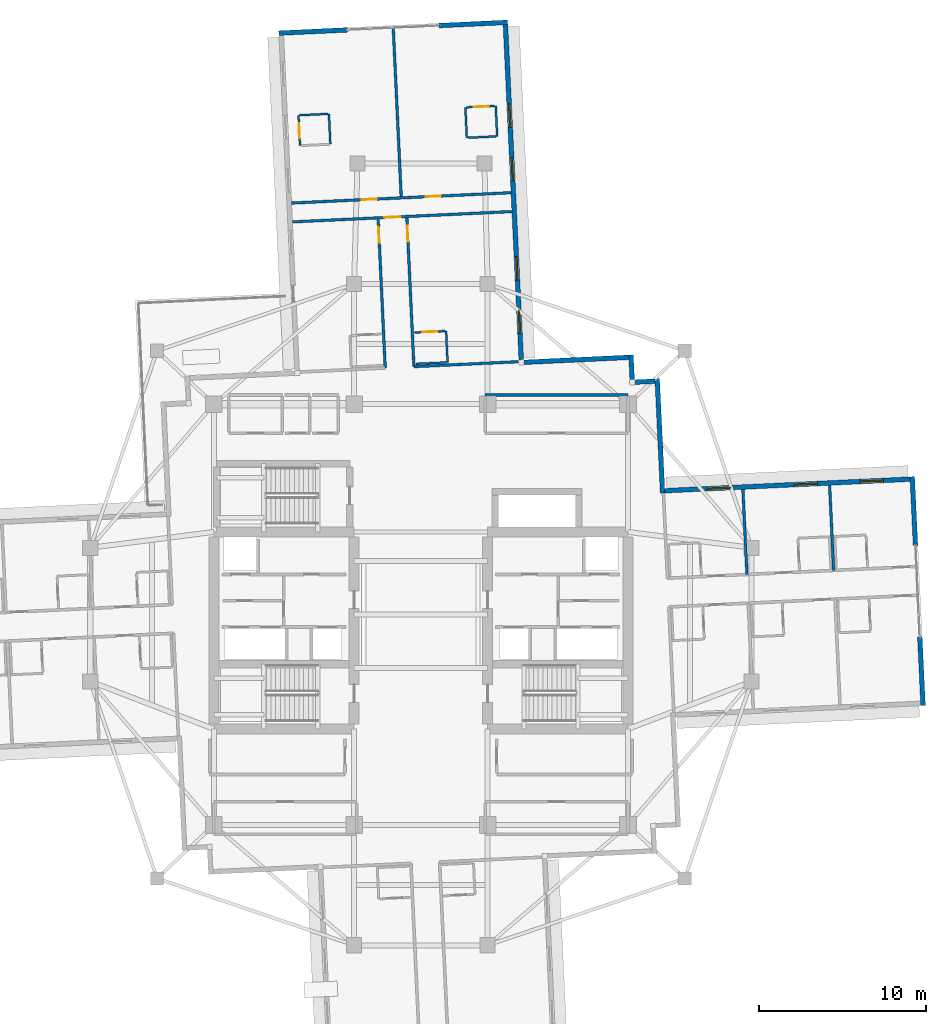
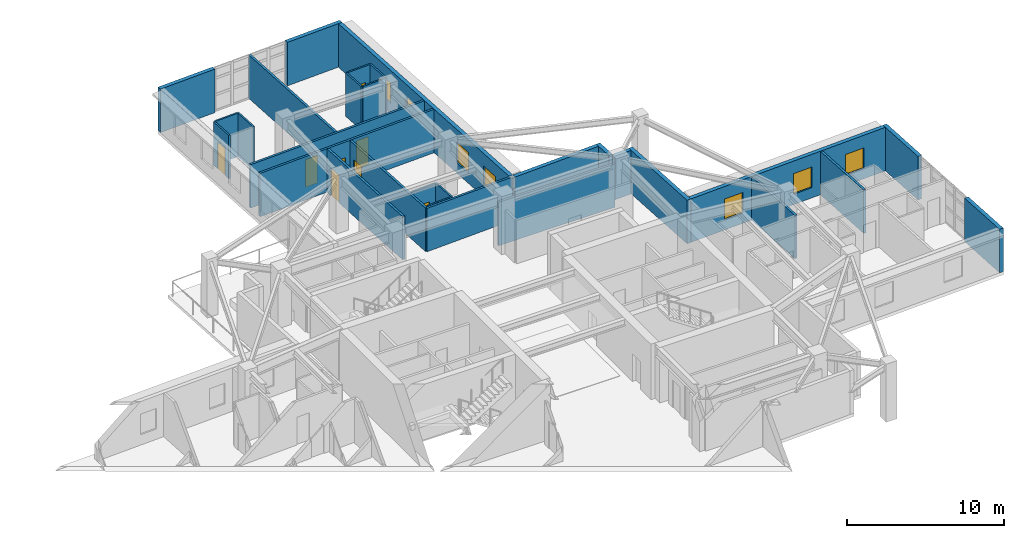
# One storey, part 16 of 22: 29 walls, 8 doors, 7 windows, 15 openings.
"""IFC4 building model written with IfcOpenShell, lengths in metres."""

from ifc_helpers import new_model, si_unit, direction, frame, frame_2d, origin, place, context, subcontext, project, spatial, rectangle, extrude, material, layer, layer_set, type_object, element, fill, save


model = new_model("IFC4")

# Units and contexts
model_context = context("Model", 3, precision=1e-05, world=origin(), true_north=direction((0.0, 1.0)))
body_context = subcontext(model_context, "Body", "Model", "MODEL_VIEW")
ifc_project = project(units=[si_unit("LENGTHUNIT", "METRE"), si_unit("AREAUNIT", "SQUARE_METRE"), si_unit("VOLUMEUNIT", "CUBIC_METRE"), si_unit("PLANEANGLEUNIT", "RADIAN"), si_unit("MASSUNIT", "GRAM", prefix="KILO")], contexts=[model_context])

# Site, building, storey
site_placement = place(None, origin())
site = spatial("IfcSite", under=ifc_project, at=site_placement, CompositionType="ELEMENT")
building_placement = place(site_placement, origin())
building = spatial("IfcBuilding", under=site, at=building_placement, Name="Qingluan Cross Belvedere", CompositionType="ELEMENT")
storey_placement = place(building_placement, frame((0.0, 0.0, 196.800048828125)))
storey = spatial("IfcBuildingStorey", under=building, at=storey_placement, Name="L49", CompositionType="ELEMENT", Elevation=196.800048828125)

# Walls
ifc_material_1 = material(Name="Gypsum plasterboard on steel stud acoustic partition", Category="steel")
ifc_layer_1 = layer(ifc_material_1, 0.159912109375, Name="CorridorPartition_160")
ifc_layer_set_1 = layer_set([ifc_layer_1], Name="Gypsum plasterboard on steel stud acoustic partition")
wall_type_1 = type_object("IfcWallType", Name="CorridorPartition_160", PredefinedType="PARTITIONING", material=ifc_layer_set_1)
wall_1_placement = place(storey_placement, frame((3.85009765625, 13.14990234375, 0.0), z_axis=(0.0, 0.0, 1.0), x_axis=(1.0, 0.0, 0.0)))
element("IfcWall", 1, at=wall_1_placement, inside=storey, type_object=wall_type_1, Name="Partition L49:sky_concierge:N", PredefinedType="PARTITIONING", context=body_context, shape_type="SweptSolid", body=[
    extrude(rectangle(XDim=8.5498046875, YDim=0.159912109375, at=frame_2d((4.27490234375, 0.0))), origin(), (0.0, 0.0, 1.0), 3.369873046875),
])
for number, where, z_axis, x_axis, name in (
    (2, (19.521484375, 2.40234375, 0.0), (0.0, 0.0, 1.0), (-0.047084475335, 0.998890911052, 0.0), "Partition L49:E:d0_0"),
    (3, (24.713623046875, 2.647216796875, 0.0), (0.0, 0.0, 1.0), (-0.047084475335, 0.998890911052, 0.0), "Partition L49:E:d0_1"),
):
    element("IfcWall", number, at=place(storey_placement, frame(where, z_axis=z_axis, x_axis=x_axis)), inside=storey, type_object=wall_type_1, Name=name, PredefinedType="PARTITIONING", context=body_context, shape_type="SweptSolid", body=[
        extrude(rectangle(XDim=5.091796875, YDim=0.159912109375, at=frame_2d((2.5458984375, 0.0))), origin(), (0.0, 0.0, 1.0), 3.369873046875),
    ])

# Wall, opening, door
wall_2_placement = place(storey_placement, frame((-0.419921875, 14.8466796875, 0.0), z_axis=(0.0, 0.0, 1.0), x_axis=(-0.047099864025, 0.99889018556, 0.0)))
wall_2 = element("IfcWall", 4, at=wall_2_placement, inside=storey, type_object=wall_type_1, Name="Partition L49:N:c0", PredefinedType="PARTITIONING", context=body_context, shape_type="SweptSolid", body=[
    extrude(rectangle(XDim=8.89990234375, YDim=0.159912109375, at=frame_2d((4.449951171875, 0.0))), origin(), (0.0, 0.0, 1.0), 3.369873046875),
])
opening_1_placement = place(wall_2_placement, frame((7.5, 0.0, 0.0)))
opening_1 = element("IfcOpeningElement", 5, at=opening_1_placement, cuts=wall_2, Name="Opening GD-10", PredefinedType="OPENING", context=body_context, shape_type="SweptSolid", body=[
    extrude(rectangle(XDim=0.9599609375, YDim=2.14990234375, at=frame_2d((0.47998046875, 1.074951171875))), frame((0.0, 0.08984375, 0.0), z_axis=(0.0, -1.0, 0.0), x_axis=(1.0, 0.0, 0.0)), (0.0, 0.0, 1.0), 0.179931640625),
])
ifc_material_2 = material(Name="Timber oak fire-rated acoustic guestroom door", Category="wood")
door_type_1 = type_object("IfcDoorType", Name="GuestEntryDoor_FD60", OperationType="NOTDEFINED", PredefinedType="DOOR", material=ifc_material_2)
door_1_placement = place(opening_1_placement, origin())
door_1 = element("IfcDoor", 6, at=door_1_placement, inside=storey, type_object=door_type_1, Name="Guest entry fire door 4913", OperationType="SINGLE_SWING_RIGHT", OverallHeight=2.14990234375, OverallWidth=0.9599609375, PredefinedType="DOOR", context=body_context, shape_type="SweptSolid", body=[
    extrude(rectangle(XDim=0.9599609375, YDim=2.14990234375, at=frame_2d((0.47998046875, 1.074951171875))), frame((0.0, 0.02490234375, 0.0), z_axis=(0.0, -1.0, 0.0), x_axis=(1.0, 0.0, 0.0)), (0.0, 0.0, 1.0), 0.050048828125),
])
fill(opening_1, door_1)

# Wall
wall_3_placement = place(storey_placement, frame((-0.419921875, 14.8466796875, 0.0), z_axis=(0.0, 0.0, 1.0), x_axis=(0.998889138652, 0.047122061533, 0.0)))
element("IfcWall", 7, at=wall_3_placement, inside=storey, type_object=wall_type_1, Name="Partition L49:N:s0", PredefinedType="PARTITIONING", context=body_context, shape_type="SweptSolid", body=[
    extrude(rectangle(XDim=6.43994140625, YDim=0.159912109375, at=frame_2d((3.219970703125, 0.0))), origin(), (0.0, 0.0, 1.0), 3.369873046875),
])

# Wall, opening, door
wall_4_placement = place(storey_placement, frame((-2.137939453125, 14.765625, 0.0), z_axis=(0.0, 0.0, 1.0), x_axis=(-0.047099864025, 0.99889018556, 0.0)))
wall_4 = element("IfcWall", 8, at=wall_4_placement, inside=storey, type_object=wall_type_1, Name="Partition L49:N:c1", PredefinedType="PARTITIONING", context=body_context, shape_type="SweptSolid", body=[
    extrude(rectangle(XDim=8.89990234375, YDim=0.159912109375, at=frame_2d((4.449951171875, 0.0))), origin(), (0.0, 0.0, 1.0), 3.369873046875),
])
opening_2_placement = place(wall_4_placement, frame((7.5, 0.0, 0.0)))
opening_2 = element("IfcOpeningElement", 9, at=opening_2_placement, cuts=wall_4, Name="Opening GD-10", PredefinedType="OPENING", context=body_context, shape_type="SweptSolid", body=[
    extrude(rectangle(XDim=0.9599609375, YDim=2.14990234375, at=frame_2d((0.47998046875, 1.074951171875))), frame((0.0, 0.08984375, 0.0), z_axis=(0.0, -1.0, 0.0), x_axis=(1.0, 0.0, 0.0)), (0.0, 0.0, 1.0), 0.179931640625),
])
door_2_placement = place(opening_2_placement, origin())
door_2 = element("IfcDoor", 10, at=door_2_placement, inside=storey, type_object=door_type_1, Name="Guest entry fire door 4914", OperationType="SINGLE_SWING_RIGHT", OverallHeight=2.14990234375, OverallWidth=0.9599609375, PredefinedType="DOOR", context=body_context, shape_type="SweptSolid", body=[
    extrude(rectangle(XDim=0.9599609375, YDim=2.14990234375, at=frame_2d((0.47998046875, 1.074951171875))), frame((0.0, 0.02490234375, 0.0), z_axis=(0.0, -1.0, 0.0), x_axis=(1.0, 0.0, 0.0)), (0.0, 0.0, 1.0), 0.050048828125),
])
fill(opening_2, door_2)

wall_5_placement = place(storey_placement, frame((-7.688232421875, 23.513916015625, 0.0), z_axis=(0.0, 0.0, 1.0), x_axis=(0.998889093558, 0.047123017412, 0.0)))
wall_5 = element("IfcWall", 11, at=wall_5_placement, inside=storey, type_object=wall_type_1, Name="Partition L49:Ncap:in", PredefinedType="PARTITIONING", context=body_context, shape_type="SweptSolid", body=[
    extrude(rectangle(XDim=13.14404296875, YDim=0.159912109375, at=frame_2d((6.572021484375, 0.0))), origin(), (0.0, 0.0, 1.0), 3.369873046875),
])
opening_3_placement = place(wall_5_placement, frame((5.511962890625, 0.0, 0.0)))
opening_3 = element("IfcOpeningElement", 12, at=opening_3_placement, cuts=wall_5, Name="Opening GD-10", PredefinedType="OPENING", context=body_context, shape_type="SweptSolid", body=[
    extrude(rectangle(XDim=0.9599609375, YDim=2.14990234375, at=frame_2d((0.47998046875, 1.074951171875))), frame((0.0, 0.08984375, 0.0), z_axis=(0.0, -1.0, 0.0), x_axis=(1.0, 0.0, 0.0)), (0.0, 0.0, 1.0), 0.179931640625),
])
door_3_placement = place(opening_3_placement, origin())
door_3 = element("IfcDoor", 13, at=door_3_placement, inside=storey, type_object=door_type_1, Name="Corner gallery fire door L49N", OperationType="SINGLE_SWING_LEFT", OverallHeight=2.14990234375, OverallWidth=0.9599609375, PredefinedType="DOOR", context=body_context, shape_type="SweptSolid", body=[
    extrude(rectangle(XDim=0.9599609375, YDim=2.14990234375, at=frame_2d((0.47998046875, 1.074951171875))), frame((0.0, 0.02490234375, 0.0), z_axis=(0.0, -1.0, 0.0), x_axis=(1.0, 0.0, 0.0)), (0.0, 0.0, 1.0), 0.050048828125),
])
fill(opening_3, door_3)

# Wall, openings, doors
wall_6_placement = place(storey_placement, frame((-7.741455078125, 24.642578125, 0.0), z_axis=(0.0, 0.0, 1.0), x_axis=(0.998889093558, 0.047123017412, 0.0)))
wall_6 = element("IfcWall", 14, at=wall_6_placement, inside=storey, type_object=wall_type_1, Name="Partition L49:Ncap:vw", PredefinedType="PARTITIONING", context=body_context, shape_type="SweptSolid", body=[
    extrude(rectangle(XDim=13.14404296875, YDim=0.159912109375, at=frame_2d((6.572021484375, 0.0))), origin(), (0.0, 0.0, 1.0), 3.369873046875),
])
opening_4_placement = place(wall_6_placement, frame((4.201904296875, 0.0, 0.0)))
opening_4 = element("IfcOpeningElement", 15, at=opening_4_placement, cuts=wall_6, Name="Opening GD-09", PredefinedType="OPENING", context=body_context, shape_type="SweptSolid", body=[
    extrude(rectangle(XDim=0.89990234375, YDim=2.14990234375, at=frame_2d((0.449951171875, 1.074951171875))), frame((0.0, 0.08984375, 0.0), z_axis=(0.0, -1.0, 0.0), x_axis=(1.0, 0.0, 0.0)), (0.0, 0.0, 1.0), 0.179931640625),
])
opening_5_placement = place(wall_6_placement, frame((8.0419921875, 0.0, 0.0)))
opening_5 = element("IfcOpeningElement", 16, at=opening_5_placement, cuts=wall_6, Name="Opening GD-09", PredefinedType="OPENING", context=body_context, shape_type="SweptSolid", body=[
    extrude(rectangle(XDim=0.89990234375, YDim=2.14990234375, at=frame_2d((0.449951171875, 1.074951171875))), frame((0.0, 0.08984375, 0.0), z_axis=(0.0, -1.0, 0.0), x_axis=(1.0, 0.0, 0.0)), (0.0, 0.0, 1.0), 0.179931640625),
])
ifc_material_3 = material(Name="Timber oak fire-rated corner room door", Category="wood")
door_type_2 = type_object("IfcDoorType", Name="CornerRoomDoor_FD60", OperationType="NOTDEFINED", PredefinedType="DOOR", material=ifc_material_3)
door_4_placement = place(opening_4_placement, origin())
door_4 = element("IfcDoor", 17, at=door_4_placement, inside=storey, type_object=door_type_2, Name="Deluxe corner room door L49N1", OperationType="SINGLE_SWING_RIGHT", OverallHeight=2.14990234375, OverallWidth=0.89990234375, PredefinedType="DOOR", context=body_context, shape_type="SweptSolid", body=[
    extrude(rectangle(XDim=0.89990234375, YDim=2.14990234375, at=frame_2d((0.449951171875, 1.074951171875))), frame((0.0, 0.02490234375, 0.0), z_axis=(0.0, -1.0, 0.0), x_axis=(1.0, 0.0, 0.0)), (0.0, 0.0, 1.0), 0.050048828125),
])
fill(opening_4, door_4)
door_5_placement = place(opening_5_placement, origin())
door_5 = element("IfcDoor", 18, at=door_5_placement, inside=storey, type_object=door_type_2, Name="Deluxe corner room door L49N2", OperationType="SINGLE_SWING_LEFT", OverallHeight=2.14990234375, OverallWidth=0.89990234375, PredefinedType="DOOR", context=body_context, shape_type="SweptSolid", body=[
    extrude(rectangle(XDim=0.89990234375, YDim=2.14990234375, at=frame_2d((0.449951171875, 1.074951171875))), frame((0.0, 0.02490234375, 0.0), z_axis=(0.0, -1.0, 0.0), x_axis=(1.0, 0.0, 0.0)), (0.0, 0.0, 1.0), 0.050048828125),
])
fill(opening_5, door_5)

# Wall
wall_7_placement = place(storey_placement, frame((-1.180908203125, 25.042236328125, 0.0), z_axis=(0.0, 0.0, 1.0), x_axis=(-0.047120592333, 0.99888920796, 0.0)))
element("IfcWall", 19, at=wall_7_placement, inside=storey, type_object=wall_type_1, Name="Partition L49:Ncap:mid", PredefinedType="PARTITIONING", context=body_context, shape_type="SweptSolid", body=[
    extrude(rectangle(XDim=10.14990234375, YDim=0.159912109375, at=frame_2d((5.074951171875, 0.0))), origin(), (0.0, 0.0, 1.0), 3.369873046875),
])

# Wall, opening, door
ifc_material_4 = material(Name="Moisture-resistant gypsum board lining")
ifc_layer_2 = layer(ifc_material_4, 0.1201171875, Name="EnsuiteWetPartition_120")
ifc_layer_set_2 = layer_set([ifc_layer_2], Name="Moisture-resistant gypsum board lining")
wall_type_2 = type_object("IfcWallType", Name="EnsuiteWetPartition_120", PredefinedType="PARTITIONING", material=ifc_layer_set_2)
wall_8_placement = place(storey_placement, frame((-0.376220703125, 16.89111328125, 0.0), z_axis=(0.0, 0.0, 1.0), x_axis=(0.998891083954, 0.047080807099, 0.0)))
wall_8 = element("IfcWall", 20, at=wall_8_placement, inside=storey, type_object=wall_type_2, Name="Partition L49:N:bs0_0", PredefinedType="PARTITIONING", context=body_context, shape_type="SweptSolid", body=[
    extrude(rectangle(XDim=1.820068359375, YDim=0.1201171875, at=frame_2d((0.91015625, 0.0))), origin(), (0.0, 0.0, 1.0), 3.369873046875),
])
opening_6_placement = place(wall_8_placement, frame((0.469970703125, 0.0, 0.0)))
opening_6 = element("IfcOpeningElement", 21, at=opening_6_placement, cuts=wall_8, Name="Opening BD-09", PredefinedType="OPENING", context=body_context, shape_type="SweptSolid", body=[
    extrude(rectangle(XDim=0.8798828125, YDim=2.10009765625, at=frame_2d((0.43994140625, 1.050048828125))), frame((0.0, 0.070068359375, 0.0), z_axis=(0.0, -1.0, 0.0), x_axis=(1.0, 0.0, 0.0)), (0.0, 0.0, 1.0), 0.14013671875),
])
ifc_material_5 = material(Name="Moisture-sealed timber en-suite door", Category="wood")
door_type_3 = type_object("IfcDoorType", Name="BathroomDoor_880", OperationType="NOTDEFINED", PredefinedType="DOOR", material=ifc_material_5)
door_6_placement = place(opening_6_placement, origin())
door_6 = element("IfcDoor", 22, at=door_6_placement, inside=storey, type_object=door_type_3, Name="Bathroom door 4913", OperationType="SINGLE_SWING_LEFT", OverallHeight=2.10009765625, OverallWidth=0.8798828125, PredefinedType="DOOR", context=body_context, shape_type="SweptSolid", body=[
    extrude(rectangle(XDim=0.8798828125, YDim=2.10009765625, at=frame_2d((0.43994140625, 1.050048828125))), frame((0.0, 0.02490234375, 0.0), z_axis=(0.0, -1.0, 0.0), x_axis=(1.0, 0.0, 0.0)), (0.0, 0.0, 1.0), 0.050048828125),
])
fill(opening_6, door_6)

# Walls
wall_9_placement = place(storey_placement, frame((-0.28759765625, 15.01318359375, 0.0), z_axis=(0.0, 0.0, 1.0), x_axis=(0.998891083954, 0.047080807099, 0.0)))
element("IfcWall", 23, at=wall_9_placement, inside=storey, type_object=wall_type_2, Name="Partition L49:N:bw0_0", PredefinedType="PARTITIONING", context=body_context, shape_type="SweptSolid", body=[
    extrude(rectangle(XDim=1.820068359375, YDim=0.1201171875, at=frame_2d((0.91015625, 0.0))), origin(), (0.0, 0.0, 1.0), 3.369873046875),
])
wall_10_placement = place(storey_placement, frame((1.595458984375, 15.101806640625, 0.0), z_axis=(0.0, 0.0, 1.0), x_axis=(-0.047139425368, 0.998888319371, 0.0)))
element("IfcWall", 24, at=wall_10_placement, inside=storey, type_object=wall_type_2, Name="Partition L49:N:bn0_0", PredefinedType="PARTITIONING", context=body_context, shape_type="SweptSolid", body=[
    extrude(rectangle(XDim=1.880126953125, YDim=0.1201171875, at=frame_2d((0.93994140625, 0.0))), origin(), (0.0, 0.0, 1.0), 3.369873046875),
])

# Wall, opening, door
wall_11_placement = place(storey_placement, frame((-7.24072265625, 28.080078125, 0.0), z_axis=(0.0, 0.0, 1.0), x_axis=(-0.047080807099, 0.998891083954, 0.0)))
wall_11 = element("IfcWall", 25, at=wall_11_placement, inside=storey, type_object=wall_type_2, Name="Partition L49:Ncap:b1s", PredefinedType="PARTITIONING", context=body_context, shape_type="SweptSolid", body=[
    extrude(rectangle(XDim=1.820068359375, YDim=0.1201171875, at=frame_2d((0.91015625, 0.0))), origin(), (0.0, 0.0, 1.0), 3.369873046875),
])
opening_7_placement = place(wall_11_placement, frame((0.449951171875, 0.0, 0.0)))
opening_7 = element("IfcOpeningElement", 26, at=opening_7_placement, cuts=wall_11, Name="Opening BD-09", PredefinedType="OPENING", context=body_context, shape_type="SweptSolid", body=[
    extrude(rectangle(XDim=0.8798828125, YDim=2.10009765625, at=frame_2d((0.43994140625, 1.050048828125))), frame((0.0, 0.070068359375, 0.0), z_axis=(0.0, -1.0, 0.0), x_axis=(1.0, 0.0, 0.0)), (0.0, 0.0, 1.0), 0.14013671875),
])
door_7_placement = place(opening_7_placement, origin())
door_7 = element("IfcDoor", 27, at=door_7_placement, inside=storey, type_object=door_type_3, Name="En-suite bathroom door L49N1", OperationType="SINGLE_SWING_RIGHT", OverallHeight=2.10009765625, OverallWidth=0.8798828125, PredefinedType="DOOR", context=body_context, shape_type="SweptSolid", body=[
    extrude(rectangle(XDim=0.8798828125, YDim=2.10009765625, at=frame_2d((0.43994140625, 1.050048828125))), frame((0.0, 0.02490234375, 0.0), z_axis=(0.0, -1.0, 0.0), x_axis=(1.0, 0.0, 0.0)), (0.0, 0.0, 1.0), 0.050048828125),
])
fill(opening_7, door_7)

# Walls
wall_12_placement = place(storey_placement, frame((-5.4228515625, 28.165771484375, 0.0), z_axis=(0.0, 0.0, 1.0), x_axis=(-0.047080807099, 0.998891083954, 0.0)))
element("IfcWall", 28, at=wall_12_placement, inside=storey, type_object=wall_type_2, Name="Partition L49:Ncap:b1b", PredefinedType="PARTITIONING", context=body_context, shape_type="SweptSolid", body=[
    extrude(rectangle(XDim=1.820068359375, YDim=0.1201171875, at=frame_2d((0.91015625, 0.0))), origin(), (0.0, 0.0, 1.0), 3.369873046875),
])
wall_13_placement = place(storey_placement, frame((-7.2666015625, 29.90087890625, 0.0), z_axis=(0.0, 0.0, 1.0), x_axis=(0.998889803826, 0.047107959116, 0.0)))
element("IfcWall", 29, at=wall_13_placement, inside=storey, type_object=wall_type_2, Name="Partition L49:Ncap:b1n", PredefinedType="PARTITIONING", context=body_context, shape_type="SweptSolid", body=[
    extrude(rectangle(XDim=1.699951171875, YDim=0.1201171875, at=frame_2d((0.85009765625, 0.0))), origin(), (0.0, 0.0, 1.0), 3.369873046875),
])
wall_14_placement = place(storey_placement, frame((2.748046875, 28.551025390625, 0.0), z_axis=(0.0, 0.0, 1.0), x_axis=(-0.047080807099, 0.998891083954, 0.0)))
element("IfcWall", 30, at=wall_14_placement, inside=storey, type_object=wall_type_2, Name="Partition L49:Ncap:b2s", PredefinedType="PARTITIONING", context=body_context, shape_type="SweptSolid", body=[
    extrude(rectangle(XDim=1.820068359375, YDim=0.1201171875, at=frame_2d((0.91015625, 0.0))), origin(), (0.0, 0.0, 1.0), 3.369873046875),
])
wall_15_placement = place(storey_placement, frame((4.566162109375, 28.636962890625, 0.0), z_axis=(0.0, 0.0, 1.0), x_axis=(-0.047087116047, 0.998890786574, 0.0)))
element("IfcWall", 31, at=wall_15_placement, inside=storey, type_object=wall_type_2, Name="Partition L49:Ncap:b2b", PredefinedType="PARTITIONING", context=body_context, shape_type="SweptSolid", body=[
    extrude(rectangle(XDim=1.81982421875, YDim=0.1201171875, at=frame_2d((0.909912109375, 0.0))), origin(), (0.0, 0.0, 1.0), 3.369873046875),
])
wall_16_placement = place(storey_placement, frame((2.80810546875, 28.553955078125, 0.0), z_axis=(0.0, 0.0, 1.0), x_axis=(0.998889803826, 0.047107959116, 0.0)))
element("IfcWall", 32, at=wall_16_placement, inside=storey, type_object=wall_type_2, Name="Partition L49:Ncap:b2a", PredefinedType="PARTITIONING", context=body_context, shape_type="SweptSolid", body=[
    extrude(rectangle(XDim=1.699951171875, YDim=0.1201171875, at=frame_2d((0.85009765625, 0.0))), origin(), (0.0, 0.0, 1.0), 3.369873046875),
])

# Wall, opening, door
wall_17_placement = place(storey_placement, frame((2.722412109375, 30.3720703125, 0.0), z_axis=(0.0, 0.0, 1.0), x_axis=(0.998896551812, 0.046964654557, 0.0)))
wall_17 = element("IfcWall", 33, at=wall_17_placement, inside=storey, type_object=wall_type_2, Name="Partition L49:Ncap:b2n", PredefinedType="PARTITIONING", context=body_context, shape_type="SweptSolid", body=[
    extrude(rectangle(XDim=1.699951171875, YDim=0.1201171875, at=frame_2d((0.85009765625, 0.0))), origin(), (0.0, 0.0, 1.0), 3.369873046875),
])
opening_8_placement = place(wall_17_placement, frame((0.449951171875, 0.0, 0.0)))
opening_8 = element("IfcOpeningElement", 34, at=opening_8_placement, cuts=wall_17, Name="Opening BD-09", PredefinedType="OPENING", context=body_context, shape_type="SweptSolid", body=[
    extrude(rectangle(XDim=0.8798828125, YDim=2.10009765625, at=frame_2d((0.43994140625, 1.050048828125))), frame((0.0, 0.070068359375, 0.0), z_axis=(0.0, -1.0, 0.0), x_axis=(1.0, 0.0, 0.0)), (0.0, 0.0, 1.0), 0.14013671875),
])
door_8_placement = place(opening_8_placement, origin())
door_8 = element("IfcDoor", 35, at=door_8_placement, inside=storey, type_object=door_type_3, Name="En-suite bathroom door L49N2", OperationType="SINGLE_SWING_RIGHT", OverallHeight=2.10009765625, OverallWidth=0.8798828125, PredefinedType="DOOR", context=body_context, shape_type="SweptSolid", body=[
    extrude(rectangle(XDim=0.8798828125, YDim=2.10009765625, at=frame_2d((0.43994140625, 1.050048828125))), frame((0.0, 0.02490234375, 0.0), z_axis=(0.0, -1.0, 0.0), x_axis=(1.0, 0.0, 0.0)), (0.0, 0.0, 1.0), 0.050048828125),
])
fill(opening_8, door_8)

# Wall, openings, windows
ifc_material_6 = material(Name="Precast concrete C45", Category="concrete")
ifc_layer_3 = layer(ifc_material_6, 0.280029296875, Name="PrecastFacadeWall_280")
ifc_layer_set_3 = layer_set([ifc_layer_3], Name="Precast concrete C45")
wall_type_3 = type_object("IfcWallType", Name="PrecastFacadeWall_280", PredefinedType="STANDARD", material=ifc_layer_set_3)
wall_18_placement = place(storey_placement, frame((29.29052734375, 8.10888671875, 0.0), z_axis=(0.0, 0.0, 1.0), x_axis=(-0.998889342735, -0.047117735191, 0.0)))
wall_18 = element("IfcWall", 36, at=wall_18_placement, inside=storey, type_object=wall_type_3, Name="Facade wall L49-EB", PredefinedType="STANDARD", context=body_context, shape_type="SweptSolid", body=[
    extrude(rectangle(XDim=14.699951171875, YDim=0.280029296875, at=frame_2d((7.35009765625, 0.0))), origin(), (0.0, 0.0, 1.0), 3.3798828125),
])
opening_9_placement = place(wall_18_placement, frame((1.60009765625, 0.0, 0.800048828125)))
opening_9 = element("IfcOpeningElement", 37, at=opening_9_placement, cuts=wall_18, Name="Opening W-01", PredefinedType="OPENING", context=body_context, shape_type="SweptSolid", body=[
    extrude(rectangle(XDim=1.39990234375, YDim=1.60009765625, at=frame_2d((0.699951171875, 0.800048828125))), frame((0.0, 0.14990234375, 0.0), z_axis=(0.0, -1.0, 0.0), x_axis=(1.0, 0.0, 0.0)), (0.0, 0.0, 1.0), 0.300048828125),
])
opening_10_placement = place(wall_18_placement, frame((5.550048828125, 0.0, 0.800048828125)))
opening_10 = element("IfcOpeningElement", 38, at=opening_10_placement, cuts=wall_18, Name="Opening W-01", PredefinedType="OPENING", context=body_context, shape_type="SweptSolid", body=[
    extrude(rectangle(XDim=1.39990234375, YDim=1.60009765625, at=frame_2d((0.699951171875, 0.800048828125))), frame((0.0, 0.14990234375, 0.0), z_axis=(0.0, -1.0, 0.0), x_axis=(1.0, 0.0, 0.0)), (0.0, 0.0, 1.0), 0.300048828125),
])
opening_11_placement = place(wall_18_placement, frame((10.75, 0.0, 0.800048828125)))
opening_11 = element("IfcOpeningElement", 39, at=opening_11_placement, cuts=wall_18, Name="Opening W-01", PredefinedType="OPENING", context=body_context, shape_type="SweptSolid", body=[
    extrude(rectangle(XDim=1.39990234375, YDim=1.60009765625, at=frame_2d((0.699951171875, 0.800048828125))), frame((0.0, 0.14990234375, 0.0), z_axis=(0.0, -1.0, 0.0), x_axis=(1.0, 0.0, 0.0)), (0.0, 0.0, 1.0), 0.300048828125),
])
ifc_material_7 = material(Name="Thermally broken triple Low-E glass in aluminium frame", Category="aluminium")
window_type = type_object("IfcWindowType", Name="TriRibbonWin_1400x1600", PartitioningType="SINGLE_PANEL", PredefinedType="WINDOW", material=ifc_material_7)
window_1_placement = place(opening_9_placement, origin())
window_1 = element("IfcWindow", 40, at=window_1_placement, inside=storey, type_object=window_type, Name="Ribbon window L49-EB-1", OverallHeight=1.60009765625, OverallWidth=1.39990234375, PartitioningType="SINGLE_PANEL", PredefinedType="WINDOW", context=body_context, shape_type="SweptSolid", body=[
    extrude(rectangle(XDim=1.39990234375, YDim=1.60009765625, at=frame_2d((0.699951171875, 0.800048828125))), frame((0.0, 0.030029296875, 0.0), z_axis=(0.0, -1.0, 0.0), x_axis=(1.0, 0.0, 0.0)), (0.0, 0.0, 1.0), 0.06005859375),
])
fill(opening_9, window_1)
window_2_placement = place(opening_10_placement, origin())
window_2 = element("IfcWindow", 41, at=window_2_placement, inside=storey, type_object=window_type, Name="Ribbon window L49-EB-2", OverallHeight=1.60009765625, OverallWidth=1.39990234375, PartitioningType="SINGLE_PANEL", PredefinedType="WINDOW", context=body_context, shape_type="SweptSolid", body=[
    extrude(rectangle(XDim=1.39990234375, YDim=1.60009765625, at=frame_2d((0.699951171875, 0.800048828125))), frame((0.0, 0.030029296875, 0.0), z_axis=(0.0, -1.0, 0.0), x_axis=(1.0, 0.0, 0.0)), (0.0, 0.0, 1.0), 0.06005859375),
])
fill(opening_10, window_2)
window_3_placement = place(opening_11_placement, origin())
window_3 = element("IfcWindow", 42, at=window_3_placement, inside=storey, type_object=window_type, Name="Ribbon window L49-EB-3", OverallHeight=1.60009765625, OverallWidth=1.39990234375, PartitioningType="SINGLE_PANEL", PredefinedType="WINDOW", context=body_context, shape_type="SweptSolid", body=[
    extrude(rectangle(XDim=1.39990234375, YDim=1.60009765625, at=frame_2d((0.699951171875, 0.800048828125))), frame((0.0, 0.030029296875, 0.0), z_axis=(0.0, -1.0, 0.0), x_axis=(1.0, 0.0, 0.0)), (0.0, 0.0, 1.0), 0.06005859375),
])
fill(opening_11, window_3)

# Walls
wall_19_placement = place(storey_placement, frame((30.070068359375, -5.44970703125, 0.0), z_axis=(0.0, 0.0, 1.0), x_axis=(-0.047094531617, 0.998890436981, 0.0)))
element("IfcWall", 43, at=wall_19_placement, inside=storey, type_object=wall_type_3, Name="Terrace portal jamb wall L49-E1", PredefinedType="STANDARD", context=body_context, shape_type="SweptSolid", body=[
    extrude(rectangle(XDim=4.1162109375, YDim=0.280029296875, at=frame_2d((2.05810546875, 0.0))), origin(), (0.0, 0.0, 1.0), 3.3798828125),
])
wall_20_placement = place(storey_placement, frame((29.61767578125, 4.143798828125, 0.0), z_axis=(0.0, 0.0, 1.0), x_axis=(-0.047097322001, 0.998890305419, 0.0)))
element("IfcWall", 44, at=wall_20_placement, inside=storey, type_object=wall_type_3, Name="Terrace portal jamb wall L49-E2", PredefinedType="STANDARD", context=body_context, shape_type="SweptSolid", body=[
    extrude(rectangle(XDim=4.115966796875, YDim=0.280029296875, at=frame_2d((2.05810546875, 0.0))), origin(), (0.0, 0.0, 1.0), 3.3798828125),
])

# Wall, openings, windows
wall_21_placement = place(storey_placement, frame((6.0087890625, 15.239990234375, 0.0), z_axis=(0.0, 0.0, 1.0), x_axis=(-0.047103473814, 0.998890015344, 0.0)))
wall_21 = element("IfcWall", 45, at=wall_21_placement, inside=storey, type_object=wall_type_3, Name="Facade wall L49-NA", PredefinedType="STANDARD", context=body_context, shape_type="SweptSolid", body=[
    extrude(rectangle(XDim=20.099853515625, YDim=0.280029296875, at=frame_2d((10.0498046875, 0.0))), origin(), (0.0, 0.0, 1.0), 3.3798828125),
])
opening_12_placement = place(wall_21_placement, frame((1.60009765625, 0.0, 0.800048828125)))
opening_12 = element("IfcOpeningElement", 46, at=opening_12_placement, cuts=wall_21, Name="Opening W-01", PredefinedType="OPENING", context=body_context, shape_type="SweptSolid", body=[
    extrude(rectangle(XDim=1.39990234375, YDim=1.60009765625, at=frame_2d((0.699951171875, 0.800048828125))), frame((0.0, 0.14990234375, 0.0), z_axis=(0.0, -1.0, 0.0), x_axis=(1.0, 0.0, 0.0)), (0.0, 0.0, 1.0), 0.300048828125),
])
opening_13_placement = place(wall_21_placement, frame((4.800048828125, 0.0, 0.800048828125)))
opening_13 = element("IfcOpeningElement", 47, at=opening_13_placement, cuts=wall_21, Name="Opening W-01", PredefinedType="OPENING", context=body_context, shape_type="SweptSolid", body=[
    extrude(rectangle(XDim=1.39990234375, YDim=1.60009765625, at=frame_2d((0.699951171875, 0.800048828125))), frame((0.0, 0.14990234375, 0.0), z_axis=(0.0, -1.0, 0.0), x_axis=(1.0, 0.0, 0.0)), (0.0, 0.0, 1.0), 0.300048828125),
])
opening_14_placement = place(wall_21_placement, frame((10.75, 0.0, 0.800048828125)))
opening_14 = element("IfcOpeningElement", 48, at=opening_14_placement, cuts=wall_21, Name="Opening W-01", PredefinedType="OPENING", context=body_context, shape_type="SweptSolid", body=[
    extrude(rectangle(XDim=1.39990234375, YDim=1.60009765625, at=frame_2d((0.699951171875, 0.800048828125))), frame((0.0, 0.14990234375, 0.0), z_axis=(0.0, -1.0, 0.0), x_axis=(1.0, 0.0, 0.0)), (0.0, 0.0, 1.0), 0.300048828125),
])
opening_15_placement = place(wall_21_placement, frame((13.949951171875, 0.0, 0.800048828125)))
opening_15 = element("IfcOpeningElement", 49, at=opening_15_placement, cuts=wall_21, Name="Opening W-01", PredefinedType="OPENING", context=body_context, shape_type="SweptSolid", body=[
    extrude(rectangle(XDim=1.39990234375, YDim=1.60009765625, at=frame_2d((0.699951171875, 0.800048828125))), frame((0.0, 0.14990234375, 0.0), z_axis=(0.0, -1.0, 0.0), x_axis=(1.0, 0.0, 0.0)), (0.0, 0.0, 1.0), 0.300048828125),
])
window_4_placement = place(opening_12_placement, origin())
window_4 = element("IfcWindow", 50, at=window_4_placement, inside=storey, type_object=window_type, Name="Ribbon window L49-NA-1", OverallHeight=1.60009765625, OverallWidth=1.39990234375, PartitioningType="SINGLE_PANEL", PredefinedType="WINDOW", context=body_context, shape_type="SweptSolid", body=[
    extrude(rectangle(XDim=1.39990234375, YDim=1.60009765625, at=frame_2d((0.699951171875, 0.800048828125))), frame((0.0, 0.030029296875, 0.0), z_axis=(0.0, -1.0, 0.0), x_axis=(1.0, 0.0, 0.0)), (0.0, 0.0, 1.0), 0.06005859375),
])
fill(opening_12, window_4)
window_5_placement = place(opening_13_placement, origin())
window_5 = element("IfcWindow", 51, at=window_5_placement, inside=storey, type_object=window_type, Name="Ribbon window L49-NA-2", OverallHeight=1.60009765625, OverallWidth=1.39990234375, PartitioningType="SINGLE_PANEL", PredefinedType="WINDOW", context=body_context, shape_type="SweptSolid", body=[
    extrude(rectangle(XDim=1.39990234375, YDim=1.60009765625, at=frame_2d((0.699951171875, 0.800048828125))), frame((0.0, 0.030029296875, 0.0), z_axis=(0.0, -1.0, 0.0), x_axis=(1.0, 0.0, 0.0)), (0.0, 0.0, 1.0), 0.06005859375),
])
fill(opening_13, window_5)
window_6_placement = place(opening_14_placement, origin())
window_6 = element("IfcWindow", 52, at=window_6_placement, inside=storey, type_object=window_type, Name="Ribbon window L49-NA-3", OverallHeight=1.60009765625, OverallWidth=1.39990234375, PartitioningType="SINGLE_PANEL", PredefinedType="WINDOW", context=body_context, shape_type="SweptSolid", body=[
    extrude(rectangle(XDim=1.39990234375, YDim=1.60009765625, at=frame_2d((0.699951171875, 0.800048828125))), frame((0.0, 0.030029296875, 0.0), z_axis=(0.0, -1.0, 0.0), x_axis=(1.0, 0.0, 0.0)), (0.0, 0.0, 1.0), 0.06005859375),
])
fill(opening_14, window_6)
window_7_placement = place(opening_15_placement, origin())
window_7 = element("IfcWindow", 53, at=window_7_placement, inside=storey, type_object=window_type, Name="Ribbon window L49-NA-4", OverallHeight=1.60009765625, OverallWidth=1.39990234375, PartitioningType="SINGLE_PANEL", PredefinedType="WINDOW", context=body_context, shape_type="SweptSolid", body=[
    extrude(rectangle(XDim=1.39990234375, YDim=1.60009765625, at=frame_2d((0.699951171875, 0.800048828125))), frame((0.0, 0.030029296875, 0.0), z_axis=(0.0, -1.0, 0.0), x_axis=(1.0, 0.0, 0.0)), (0.0, 0.0, 1.0), 0.06005859375),
])
fill(opening_15, window_7)

# Walls
wall_22_placement = place(storey_placement, frame((5.1953125, 35.464111328125, 0.0), z_axis=(0.0, 0.0, 1.0), x_axis=(-0.998890436981, -0.047094531617, 0.0)))
element("IfcWall", 54, at=wall_22_placement, inside=storey, type_object=wall_type_3, Name="Terrace portal jamb wall L49-N1", PredefinedType="STANDARD", context=body_context, shape_type="SweptSolid", body=[
    extrude(rectangle(XDim=4.1162109375, YDim=0.280029296875, at=frame_2d((2.05810546875, 0.0))), origin(), (0.0, 0.0, 1.0), 3.3798828125),
])
wall_23_placement = place(storey_placement, frame((-4.398193359375, 35.01171875, 0.0), z_axis=(0.0, 0.0, 1.0), x_axis=(-0.998890305419, -0.047097322001, 0.0)))
element("IfcWall", 55, at=wall_23_placement, inside=storey, type_object=wall_type_3, Name="Terrace portal jamb wall L49-N2", PredefinedType="STANDARD", context=body_context, shape_type="SweptSolid", body=[
    extrude(rectangle(XDim=4.115966796875, YDim=0.280029296875, at=frame_2d((2.05810546875, 0.0))), origin(), (0.0, 0.0, 1.0), 3.3798828125),
])
wall_24_placement = place(storey_placement, frame((14.4736328125, 7.27001953125, 0.0), z_axis=(0.0, 0.0, 1.0), x_axis=(-0.04712043756, 0.998889215261, 0.0)))
element("IfcWall", 56, at=wall_24_placement, inside=storey, type_object=wall_type_3, Name="Corner wall L49-NE1", PredefinedType="STANDARD", context=body_context, shape_type="SweptSolid", body=[
    extrude(rectangle(XDim=6.85986328125, YDim=0.280029296875, at=frame_2d((3.429931640625, 0.0))), origin(), (0.0, 0.0, 1.0), 3.3798828125),
])
wall_25_placement = place(storey_placement, frame((14.01708984375, 13.975830078125, 0.0), z_axis=(0.0, 0.0, 1.0), x_axis=(-0.998883930236, -0.047232339719, 0.0)))
element("IfcWall", 57, at=wall_25_placement, inside=storey, type_object=wall_type_3, Name="Corner wall L49-NE2", PredefinedType="STANDARD", context=body_context, shape_type="SweptSolid", body=[
    extrude(rectangle(XDim=1.219970703125, YDim=0.280029296875, at=frame_2d((0.60986328125, 0.0))), origin(), (0.0, 0.0, 1.0), 3.3798828125),
])
wall_26_placement = place(storey_placement, frame((12.652099609375, 14.051513671875, 0.0), z_axis=(0.0, 0.0, 1.0), x_axis=(-0.047039284441, 0.99889304018, 0.0)))
element("IfcWall", 58, at=wall_26_placement, inside=storey, type_object=wall_type_3, Name="Corner wall L49-NE3", PredefinedType="STANDARD", context=body_context, shape_type="SweptSolid", body=[
    extrude(rectangle(XDim=1.5, YDim=0.280029296875, at=frame_2d((0.75, 0.0))), origin(), (0.0, 0.0, 1.0), 3.3798828125),
])
wall_27_placement = place(storey_placement, frame((12.4482421875, 15.403564453125, 0.0), z_axis=(0.0, 0.0, 1.0), x_axis=(-0.998889082162, -0.047123258997, 0.0)))
element("IfcWall", 59, at=wall_27_placement, inside=storey, type_object=wall_type_3, Name="Corner wall L49-NE4", PredefinedType="STANDARD", context=body_context, shape_type="SweptSolid", body=[
    extrude(rectangle(XDim=6.300048828125, YDim=0.280029296875, at=frame_2d((3.14990234375, 0.0))), origin(), (0.0, 0.0, 1.0), 3.3798828125),
])

save(model, "model.ifc")
